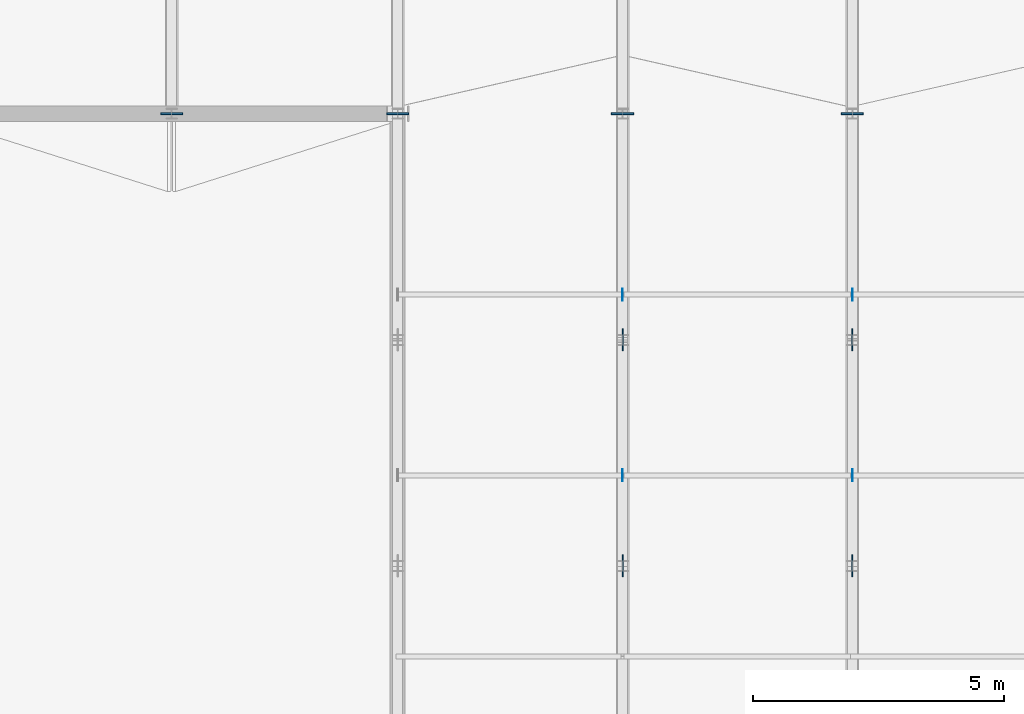
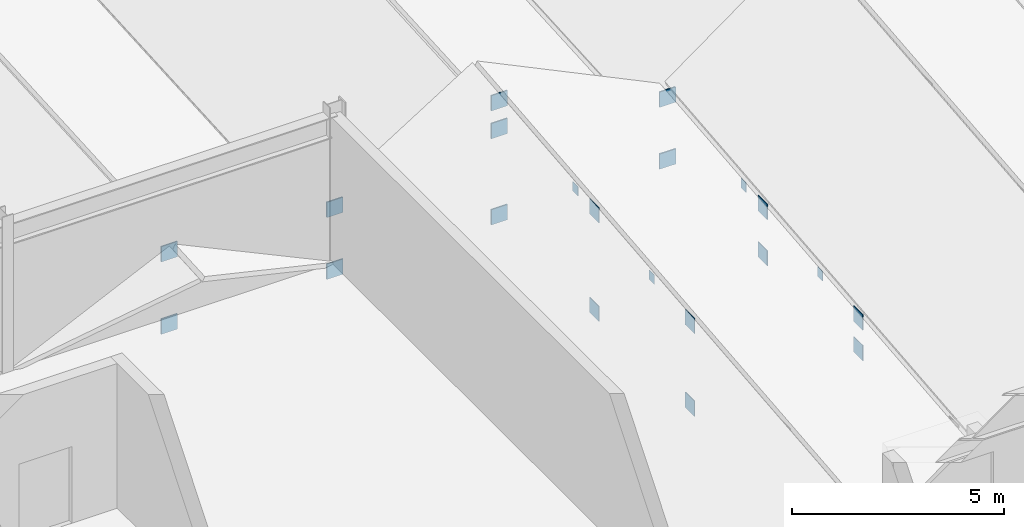
# One storey, part 110 of 142: 21 plates.
"""IFC4 building model written with IfcOpenShell, lengths in metres."""

from ifc_helpers import new_model, si_unit, direction, frame, origin, origin_2d, place, context, subcontext, project, spatial, rectangle, extrude, material, layer, layer_set, type_object, element, save


model = new_model("IFC4")

# Units and contexts
model_context = context("Model", 3, precision=1e-05, world=origin(), true_north=direction((0.0, 1.0)))
body_context = subcontext(model_context, "Body", "Model", "MODEL_VIEW")
ifc_project = project(units=[si_unit("LENGTHUNIT", "METRE"), si_unit("AREAUNIT", "SQUARE_METRE"), si_unit("VOLUMEUNIT", "CUBIC_METRE"), si_unit("PLANEANGLEUNIT", "RADIAN"), si_unit("MASSUNIT", "GRAM", prefix="KILO")], contexts=[model_context])

# Site, building, storey
site_placement = place(None, origin())
site = spatial("IfcSite", under=ifc_project, at=site_placement, CompositionType="ELEMENT")
building_placement = place(site_placement, origin())
building = spatial("IfcBuilding", under=site, at=building_placement, Name="Montelvaro Courts of Justice", CompositionType="ELEMENT")
storey_placement = place(building_placement, frame((0.0, 0.0, 14.39990234375)))
storey = spatial("IfcBuildingStorey", under=building, at=storey_placement, Name="L03", CompositionType="ELEMENT", Elevation=14.39990234375)

# Plates
ifc_material = material(Name="Steel S355", Category="steel")
ifc_layer_1 = layer(ifc_material, 0.011962890625)
ifc_layer_set_1 = layer_set([ifc_layer_1], Name="Steel S355")
plate_type_1 = type_object("IfcPlateType", Name="EndCapPlate_12", PredefinedType="USERDEFINED", material=ifc_layer_set_1)
for number, where, z_axis, x_axis, name in (
    (1, (76.47509765625, 34.800048828125, 2.1201171875), (0.0, 0.0, 1.0), (1.0, 0.0, 0.0), "Purlin End Cap Plate CP-01 01-3L-B"),
    (2, (81.050048828125, 34.800048828125, 0.6201171875), (0.0, 0.0, 1.0), (1.0, 0.0, 0.0), "Purlin End Cap Plate CP-01 01-3R-B"),
    (3, (76.47509765625, 38.39990234375, 2.47998046875), (0.0, 0.0, 1.0), (1.0, 0.0, 0.0), "Purlin End Cap Plate CP-01 01-4L-B"),
    (4, (81.050048828125, 38.39990234375, 0.97998046875), (0.0, 0.0, 1.0), (1.0, 0.0, 0.0), "Purlin End Cap Plate CP-01 01-4R-B"),
):
    element("IfcPlate", number, at=place(storey_placement, frame(where, z_axis=z_axis, x_axis=x_axis)), inside=storey, type_object=plate_type_1, Name=name, ObjectType="GUSSET PLATE", PredefinedType="USERDEFINED", context=body_context, shape_type="SweptSolid", body=[
        extrude(rectangle(XDim=0.011962890625, YDim=0.239990234375, at=origin_2d()), origin(), (0.0, 0.0, 1.0), 0.280029296875),
    ])
ifc_layer_2 = layer(ifc_material, 0.035888671875)
ifc_layer_set_2 = layer_set([ifc_layer_2], Name="Steel S355")
plate_type_2 = type_object("IfcPlateType", Name="EndCapPlate_36", PredefinedType="USERDEFINED", material=ifc_layer_set_2)
for number, where, z_axis, x_axis, name in (
    (5, (72.0, 42.0, -0.519775390625), (0.0, 0.0, 1.0), (1.0, 0.0, 0.0), "Roof Truss End Cap Plate CP-02 ROOF-PASSAGE-VTR03-B0"),
    (6, (81.050048828125, 42.0, -0.519775390625), (0.0, 0.0, 1.0), (1.0, 0.0, 0.0), "Roof Truss End Cap Plate CP-02 ROOF-PASSAGE-VTR04-B0"),
    (7, (67.5, 42.0, -0.519775390625), (0.0, 0.0, 1.0), (1.0, 0.0, 0.0), "Roof Truss End Cap Plate CP-02 ROOF-PASSAGE-RTR02-B0"),
    (8, (67.5, 42.0, 1.56005859375), (0.0, 0.0, 1.0), (1.0, 0.0, 0.0), "Roof Truss End Cap Plate CP-02 ROOF-PASSAGE-RTR02-T0"),
    (9, (76.47509765625, 42.0, -0.519775390625), (0.0, 0.0, 1.0), (1.0, 0.0, 0.0), "Roof Truss End Cap Plate CP-02 ROOF-PASSAGE-RTR03-B0"),
    (10, (76.47509765625, 42.0, 1.960205078125), (0.0, 0.0, 1.0), (1.0, 0.0, 0.0), "Roof Truss End Cap Plate CP-02 ROOF-PASSAGE-RTR03-T0"),
    (11, (72.0, 42.0, 1.260009765625), (0.0, 0.0, 1.0), (1.0, 0.0, 0.0), "Roof Truss End Cap Plate CP-02 ROOF-PASSAGE-S-VTR01-T1"),
    (12, (81.050048828125, 42.0, 1.260009765625), (0.0, 0.0, 1.0), (1.0, 0.0, 0.0), "Roof Truss End Cap Plate CP-02 ROOF-PASSAGE-S-VTR02-T1"),
    (13, (76.47509765625, 42.0, 2.760009765625), (0.0, 0.0, 1.0), (1.0, 0.0, 0.0), "Roof Truss End Cap Plate CP-02 ROOF-PASSAGE-S-RTR01-T1"),
):
    element("IfcPlate", number, at=place(storey_placement, frame(where, z_axis=z_axis, x_axis=x_axis)), inside=storey, type_object=plate_type_2, Name=name, ObjectType="GUSSET PLATE", PredefinedType="USERDEFINED", context=body_context, shape_type="SweptSolid", body=[
        extrude(rectangle(XDim=0.43994140625, YDim=0.035888671875, at=origin_2d()), origin(), (0.0, 0.0, 1.0), 0.43994140625),
    ])
ifc_layer_3 = layer(ifc_material, 0.02001953125)
ifc_layer_set_3 = layer_set([ifc_layer_3], Name="Steel S355")
plate_type_3 = type_object("IfcPlateType", Name="GussetPlate_20", PredefinedType="USERDEFINED", material=ifc_layer_set_3)
for number, where, z_axis, x_axis, name in (
    (14, (81.050048828125, 33.0, -0.519775390625), (0.0, 0.0, 1.0), (1.0, 0.0, 0.0), "Roof Truss Gusset Plate GP-01 ROOF-PASSAGE-S-VTR02-2B"),
    (15, (81.050048828125, 33.0, 0.360107421875), (0.0, 0.0, 1.0), (1.0, 0.0, 0.0), "Roof Truss Gusset Plate GP-01 ROOF-PASSAGE-S-VTR02-2T"),
    (16, (81.050048828125, 37.5, -0.519775390625), (0.0, 0.0, 1.0), (1.0, 0.0, 0.0), "Roof Truss Gusset Plate GP-01 ROOF-PASSAGE-S-VTR02-3B"),
    (17, (81.050048828125, 37.5, 0.81005859375), (0.0, 0.0, 1.0), (1.0, 0.0, 0.0), "Roof Truss Gusset Plate GP-01 ROOF-PASSAGE-S-VTR02-3T"),
    (18, (76.47509765625, 33.0, -0.519775390625), (0.0, 0.0, 1.0), (1.0, 0.0, 0.0), "Roof Truss Gusset Plate GP-01 ROOF-PASSAGE-S-RTR01-2B"),
    (19, (76.47509765625, 33.0, 1.860107421875), (0.0, 0.0, 1.0), (1.0, 0.0, 0.0), "Roof Truss Gusset Plate GP-01 ROOF-PASSAGE-S-RTR01-2T"),
    (20, (76.47509765625, 37.5, -0.519775390625), (0.0, 0.0, 1.0), (1.0, 0.0, 0.0), "Roof Truss Gusset Plate GP-01 ROOF-PASSAGE-S-RTR01-3B"),
    (21, (76.47509765625, 37.5, 2.31005859375), (0.0, 0.0, 1.0), (1.0, 0.0, 0.0), "Roof Truss Gusset Plate GP-01 ROOF-PASSAGE-S-RTR01-3T"),
):
    element("IfcPlate", number, at=place(storey_placement, frame(where, z_axis=z_axis, x_axis=x_axis)), inside=storey, type_object=plate_type_3, Name=name, ObjectType="GUSSET PLATE", PredefinedType="USERDEFINED", context=body_context, shape_type="SweptSolid", body=[
        extrude(rectangle(XDim=0.02001953125, YDim=0.43994140625, at=origin_2d()), origin(), (0.0, 0.0, 1.0), 0.43994140625),
    ])

save(model, "model.ifc")
